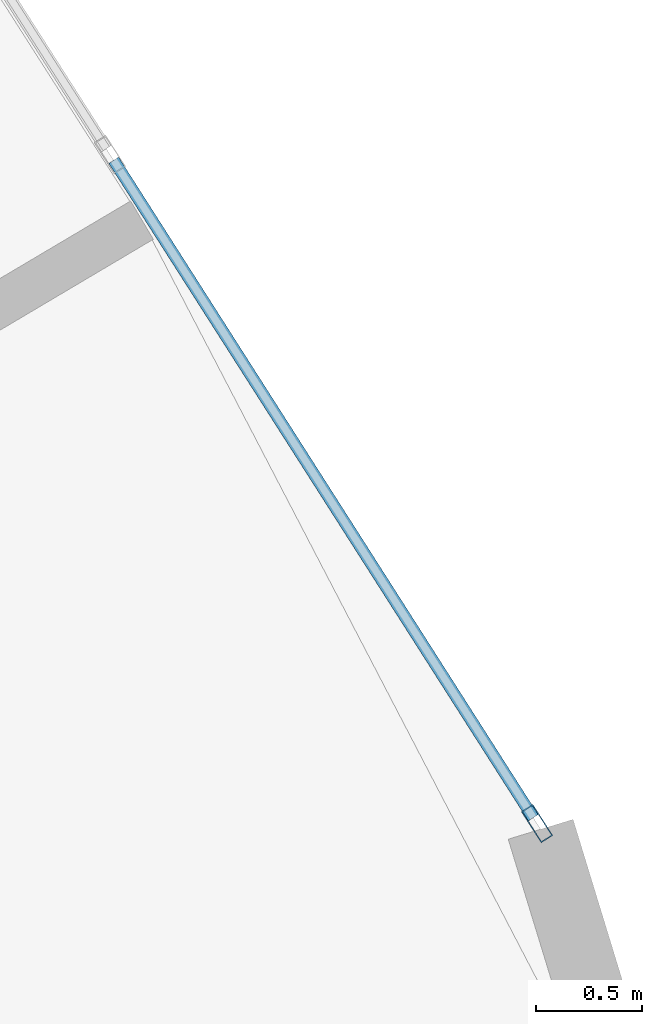
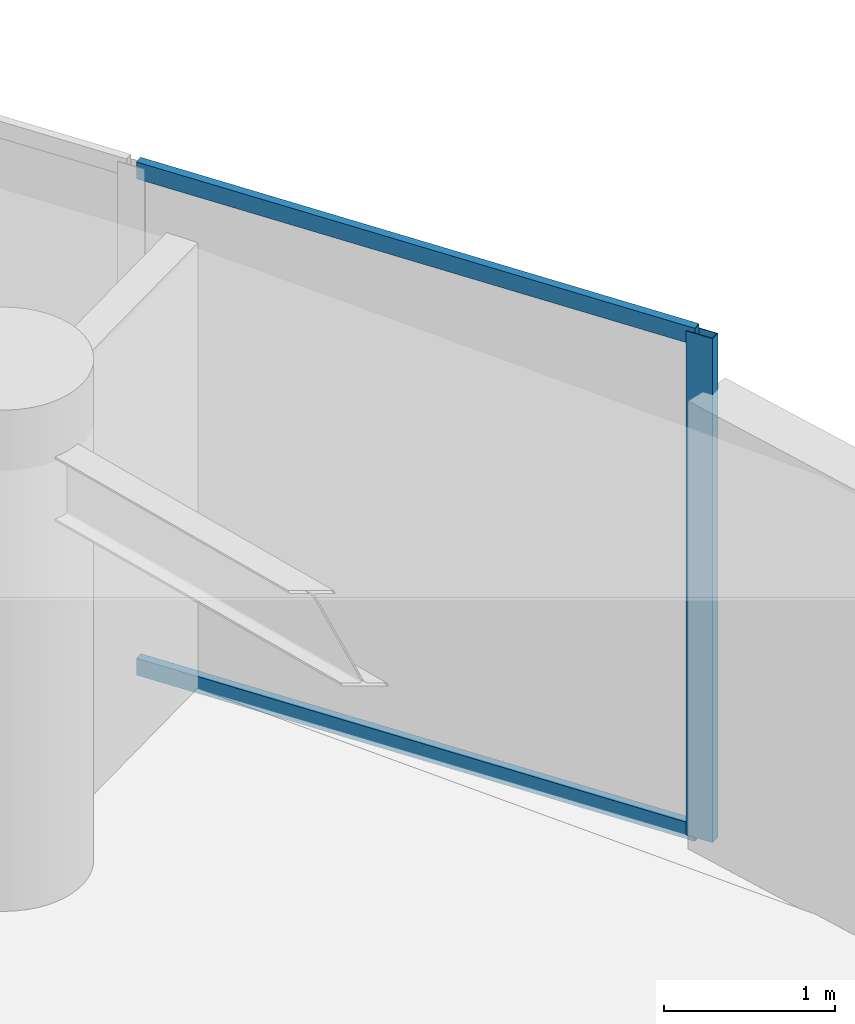
# One storey, part 11 of 22: 3 members, 1 element without a shape of its own.
"""IFC4 building model written with IfcOpenShell, lengths in metres."""

from ifc_helpers import new_model, si_unit, direction, frame, origin, origin_2d, place, context, subcontext, project, spatial, hollow_rectangle, extrude, source, transform, mapped, material, layer, layer_set, material_profile, profile_set, type_object, element, aggregate, save


model = new_model("IFC4")

# Units and contexts
model_context = context("Model", 3, precision=1e-05, world=origin(), true_north=direction((0.0, 1.0)))
body_context = subcontext(model_context, "Body", "Model", "MODEL_VIEW")
ifc_project = project(units=[si_unit("LENGTHUNIT", "METRE"), si_unit("AREAUNIT", "SQUARE_METRE"), si_unit("VOLUMEUNIT", "CUBIC_METRE"), si_unit("PLANEANGLEUNIT", "RADIAN"), si_unit("MASSUNIT", "GRAM", prefix="KILO")], contexts=[model_context])

# Site, building, storey
site_placement = place(None, origin())
site = spatial("IfcSite", under=ifc_project, at=site_placement, CompositionType="ELEMENT")
building_placement = place(site_placement, origin())
building = spatial("IfcBuilding", under=site, at=building_placement, Name="Solvirekh Grand Hotel", CompositionType="ELEMENT")
storey_placement = place(building_placement, frame((0.0, 0.0, 160.199951171875)))
storey = spatial("IfcBuildingStorey", under=building, at=storey_placement, Name="L41", CompositionType="ELEMENT", Elevation=160.199951171875)

# Curtain wall, members
ifc_material = material(Name="Anodized Bronze Aluminium 6063-T6", Category="aluminium")
ifc_layer = layer(ifc_material, 0.175048828125)
ifc_layer_set = layer_set([ifc_layer], Name="Anodized Bronze Aluminium 6063-T6")
curtain_wall_type = type_object("IfcCurtainWallType", Name="CW_Sys3_MidZoneFlushBronzeCW", PredefinedType="NOTDEFINED", material=ifc_layer_set)
curtain_wall_placement = place(storey_placement, origin())
curtain_wall = element("IfcCurtainWall", 1, at=curtain_wall_placement, inside=storey, type_object=curtain_wall_type, Name="L41 unitised bronze-glass curtain wall CW-L41-C05", PredefinedType="NOTDEFINED")
ifc_material_profile_1 = material_profile(ifc_material, hollow_rectangle(XDim=0.06494140625, YDim=0.175048828125, WallThickness=0.0048828125, at=origin_2d()), Name="ALU RHS 175X65X5")
ifc_profile_set_1 = profile_set([ifc_material_profile_1], Name="Anodized Bronze Aluminium 6063-T6")
member_type_1 = type_object("IfcMemberType", Name="CWMullion_Sys3", PredefinedType="MULLION", material=ifc_profile_set_1)
shared_shape_1 = source(origin(), body_context, "Body", "SweptSolid", [
    extrude(hollow_rectangle(XDim=0.06494140625, YDim=0.175048828125, WallThickness=0.0048828125, at=origin_2d()), origin(), (0.0, 0.0, 1.0), 3.60009765625),
])
member_1_placement = place(storey_placement, frame((18.3935546875, 6.693359375, 0.0), z_axis=(0.0, 0.0, 1.0), x_axis=(-0.842936250751, -0.53801345445, 0.0)))
member_1 = element("IfcMember", 2, at=member_1_placement, type_object=member_type_1, Name="U03 mullion 1", PredefinedType="MULLION", context=body_context, shape_type="MappedRepresentation", body=[
    mapped(shared_shape_1, transform((0.0, 0.0, 0.0), x_axis=(1.0, 0.0, 0.0), y_axis=(0.0, 1.0, 0.0), z_axis=(0.0, 0.0, 1.0), scale=1.0)),
])
ifc_material_profile_2 = material_profile(ifc_material, hollow_rectangle(XDim=0.054931640625, YDim=0.1201171875, WallThickness=0.00390625, at=origin_2d()), Name="ALU RHS 120X55X4")
ifc_profile_set_2 = profile_set([ifc_material_profile_2], Name="Anodized Bronze Aluminium 6063-T6")
member_type_2 = type_object("IfcMemberType", Name="CWTransom_Sys3", PredefinedType="USERDEFINED", material=ifc_profile_set_2)
shared_shape_2 = source(origin(), body_context, "Body", "SweptSolid", [
    extrude(hollow_rectangle(XDim=0.054931640625, YDim=0.1201171875, WallThickness=0.00390625, at=origin_2d()), origin(), (0.0, 0.0, 1.0), 3.682373046875),
])
member_2_placement = place(storey_placement, frame((18.3759765625, 6.720703125, 0.027587890625), z_axis=(-0.537973308126, 0.842961873245, 0.0), x_axis=(-0.842961873245, -0.537973308126, 0.0)))
member_2 = element("IfcMember", 3, at=member_2_placement, type_object=member_type_2, Name="U03 transom 1.1", ObjectType="TRANSOM", PredefinedType="USERDEFINED", context=body_context, shape_type="MappedRepresentation", body=[
    mapped(shared_shape_2, transform((0.0, 0.0, 0.0), x_axis=(1.0, 0.0, 0.0), y_axis=(0.0, 1.0, 0.0), z_axis=(0.0, 0.0, 1.0), scale=1.0)),
])
member_3_placement = place(storey_placement, frame((18.3759765625, 6.720703125, 3.572509765625), z_axis=(-0.537973308126, 0.842961873245, 0.0), x_axis=(-0.842961873245, -0.537973308126, 0.0)))
member_3 = element("IfcMember", 4, at=member_3_placement, type_object=member_type_2, Name="U03 transom 1.2", ObjectType="TRANSOM", PredefinedType="USERDEFINED", context=body_context, shape_type="MappedRepresentation", body=[
    mapped(shared_shape_2, transform((0.0, 0.0, 0.0), x_axis=(1.0, 0.0, 0.0), y_axis=(0.0, 1.0, 0.0), z_axis=(0.0, 0.0, 1.0), scale=1.0)),
])
aggregate(curtain_wall, [member_1, member_2, member_3])

save(model, "model.ifc")
